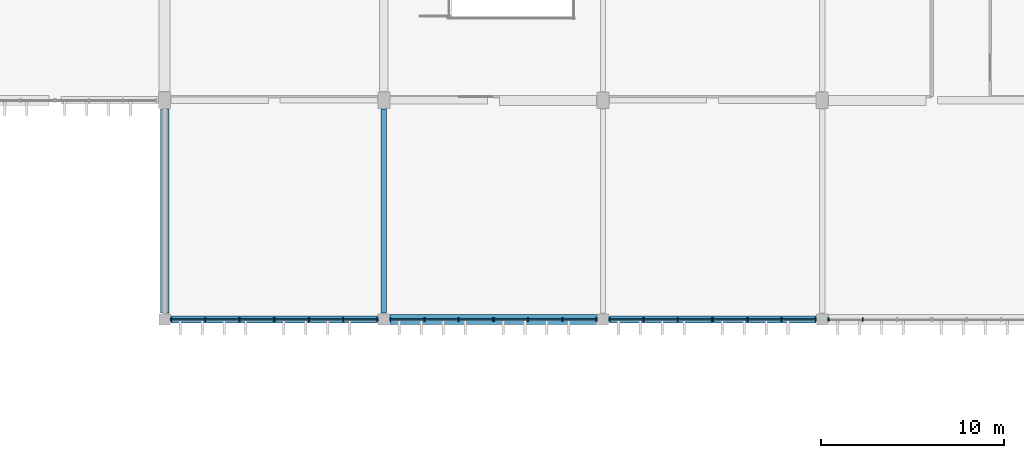
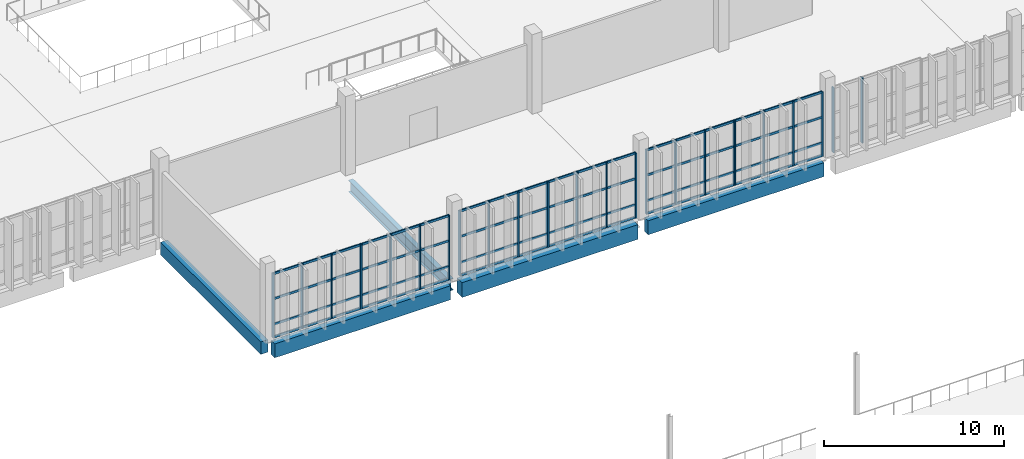
# One storey, part 29 of 112: 50 members, 5 beams, 7 elements without a shape of their own.
"""IFC4 building model written with IfcOpenShell, lengths in metres."""

from ifc_helpers import new_model, si_unit, direction, frame, origin, origin_2d, place, context, subcontext, project, spatial, rectangle, i_section, extrude, material, material_profile, profile_set, type_object, element, aggregate, save


model = new_model("IFC4")

# Units and contexts
model_context = context("Model", 3, precision=1e-05, world=origin(), true_north=direction((0.0, 1.0)))
body_context = subcontext(model_context, "Body", "Model", "MODEL_VIEW")
ifc_project = project(units=[si_unit("LENGTHUNIT", "METRE"), si_unit("AREAUNIT", "SQUARE_METRE"), si_unit("VOLUMEUNIT", "CUBIC_METRE"), si_unit("PLANEANGLEUNIT", "RADIAN"), si_unit("MASSUNIT", "GRAM", prefix="KILO")], contexts=[model_context])

# Site, building, storey
site_placement = place(None, origin())
site = spatial("IfcSite", under=ifc_project, at=site_placement, CompositionType="ELEMENT")
building_placement = place(site_placement, origin())
building = spatial("IfcBuilding", under=site, at=building_placement, Name="Kamomehara Wholesale Market", CompositionType="ELEMENT")
storey_placement = place(building_placement, frame((0.0, 0.0, 6.60009765625)))
storey = spatial("IfcBuildingStorey", under=building, at=storey_placement, Name="L01", CompositionType="ELEMENT", Elevation=6.60009765625)

# Beams
ifc_material_1 = material(Name="Precast concrete Fc45 (C40/50)", Category="concrete")
ifc_material_profile_1 = material_profile(ifc_material_1, rectangle(XDim=0.449951171875, YDim=0.85009765625, at=origin_2d()), Name="PC-GRD-450x850")
ifc_profile_set_1 = profile_set([ifc_material_profile_1], Name="Precast concrete Fc45 (C40/50)")
beam_type_1 = type_object("IfcBeamType", Name="BM-PG850", PredefinedType="T_BEAM", material=ifc_profile_set_1)
beam_1_placement = place(storey_placement, frame((72.0, 96.35009765625, -0.737060546875), z_axis=(0.0, 1.0, 0.0), x_axis=(-1.0, 0.0, 0.0)))
element("IfcBeam", 1, at=beam_1_placement, inside=storey, type_object=beam_type_1, Name="Beam PG-11 L01", PredefinedType="T_BEAM", context=body_context, shape_type="SweptSolid", body=[
    extrude(rectangle(XDim=0.449951171875, YDim=0.85009765625, at=origin_2d()), origin(), (0.0, 0.0, 1.0), 11.1748046875),
])
ifc_material_2 = material(Name="Concrete Fc36 (C35/45)", Category="concrete")
ifc_material_profile_2 = material_profile(ifc_material_2, rectangle(XDim=0.550048828125, YDim=1.0, at=origin_2d()), Name="RC-SEB-550x1000")
ifc_profile_set_2 = profile_set([ifc_material_profile_2], Name="Concrete Fc36 (C35/45)")
beam_type_2 = type_object("IfcBeamType", Name="BM-SEB1000-EXT", PredefinedType="SPANDREL", material=ifc_profile_set_2)
beam_2_placement = place(storey_placement, frame((84.35009765625, 96.0, -0.81201171875), z_axis=(1.0, 0.0, 0.0), x_axis=(0.0, 1.0, 0.0)))
element("IfcBeam", 2, at=beam_2_placement, inside=storey, type_object=beam_type_2, Name="Beam SEB-03E L01", PredefinedType="SPANDREL", context=body_context, shape_type="SweptSolid", body=[
    extrude(rectangle(XDim=0.550048828125, YDim=1.0, at=origin_2d()), origin(), (0.0, 0.0, 1.0), 11.2998046875),
])
ifc_material_3 = material(Name="Precast concrete Fc45 (C40/50)", Category="concrete")
ifc_material_profile_3 = material_profile(ifc_material_3, rectangle(XDim=0.39990234375, YDim=0.949951171875, at=origin_2d()), Name="PC-SPN-400x950")
ifc_profile_set_3 = profile_set([ifc_material_profile_3], Name="Precast concrete Fc45 (C40/50)")
beam_type_3 = type_object("IfcBeamType", Name="BM-SPN950-EXT", PredefinedType="SPANDREL", material=ifc_profile_set_3)
for number, where, z_axis, x_axis, name in (
    (3, (72.35009765625, 96.0, -0.787109375), (1.0, 0.0, 0.0), (0.0, 1.0, 0.0), "Beam SPN-01E L01"),
    (4, (96.35009765625, 96.0, -0.8271484375), (1.0, 0.0, 0.0), (0.0, 1.0, 0.0), "Beam SPN-01E L01"),
):
    element("IfcBeam", number, at=place(storey_placement, frame(where, z_axis=z_axis, x_axis=x_axis)), inside=storey, type_object=beam_type_3, Name=name, PredefinedType="SPANDREL", context=body_context, shape_type="SweptSolid", body=[
        extrude(rectangle(XDim=0.39990234375, YDim=0.949951171875, at=origin_2d()), origin(), (0.0, 0.0, 1.0), 11.2998046875),
    ])
ifc_material_4 = material(Name="Steel SN490B", Category="steel")
ifc_material_profile_4 = material_profile(ifc_material_4, i_section(OverallWidth=0.300048828125, OverallDepth=0.800048828125, WebThickness=0.013916015625, FlangeThickness=0.02587890625, FilletRadius=0.02392578125, at=origin_2d()), Name="H-800x300x14x26")
ifc_profile_set_4 = profile_set([ifc_material_profile_4], Name="Steel SN490B")
beam_type_4 = type_object("IfcBeamType", Name="BM-ST-H800", PredefinedType="BEAM", material=ifc_profile_set_4)
beam_3_placement = place(storey_placement, frame((84.0, 96.35009765625, -0.712158203125), z_axis=(0.0, 1.0, 0.0), x_axis=(-1.0, 0.0, 0.0)))
element("IfcBeam", 5, at=beam_3_placement, inside=storey, type_object=beam_type_4, Name="Beam SG-02 L01", PredefinedType="BEAM", context=body_context, shape_type="SweptSolid", body=[
    extrude(i_section(OverallWidth=0.300048828125, OverallDepth=0.800048828125, WebThickness=0.013916015625, FlangeThickness=0.02587890625, FilletRadius=0.02392578125, at=origin_2d()), origin(), (0.0, 0.0, 1.0), 11.1748046875),
])

# Curtain wall, members
ifc_material_5 = material(Name="Anodised aluminium 6063-T5", Category="aluminium")
curtain_wall_type = type_object("IfcCurtainWallType", Name="CW-UN-02", PredefinedType="NOTDEFINED", material=ifc_material_5)
curtain_wall_1_placement = place(storey_placement, origin())
curtain_wall_1 = element("IfcCurtainWall", 6, at=curtain_wall_1_placement, inside=storey, type_object=curtain_wall_type, Name="Unitised curtain wall CW-063", PredefinedType="NOTDEFINED")
ifc_material_6 = material(Name="Anodised aluminium 6063-T5", Category="aluminium")
ifc_material_profile_5 = material_profile(ifc_material_6, rectangle(XDim=0.074951171875, YDim=0.179931640625, at=origin_2d()), Name="ALU-MUL-75x180")
ifc_profile_set_5 = profile_set([ifc_material_profile_5], Name="Anodised aluminium 6063-T5")
member_type_1 = type_object("IfcMemberType", Name="CW-MUL-180", PredefinedType="MULLION", material=ifc_profile_set_5)
member_1_placement = place(storey_placement, frame((83.64990234375, 96.0, 0.0), z_axis=(0.0, 0.0, 1.0), x_axis=(-1.0, 0.0, 0.0)))
member_1 = element("IfcMember", 7, at=member_1_placement, type_object=member_type_1, Name="Mullion CW-063.0", PredefinedType="MULLION", context=body_context, shape_type="SweptSolid", body=[
    extrude(rectangle(XDim=0.074951171875, YDim=0.179931640625, at=origin_2d()), origin(), (0.0, 0.0, 1.0), 4.3798828125),
])
member_2_placement = place(storey_placement, frame((81.777099609375, 96.0, 0.0), z_axis=(0.0, 0.0, 1.0), x_axis=(-1.0, 0.0, 0.0)))
member_2 = element("IfcMember", 8, at=member_2_placement, type_object=member_type_1, Name="Mullion CW-063.1", PredefinedType="MULLION", context=body_context, shape_type="SweptSolid", body=[
    extrude(rectangle(XDim=0.074951171875, YDim=0.179931640625, at=origin_2d()), origin(), (0.0, 0.0, 1.0), 4.3798828125),
])
member_3_placement = place(storey_placement, frame((79.903076171875, 96.0, 0.0), z_axis=(0.0, 0.0, 1.0), x_axis=(-1.0, 0.0, 0.0)))
member_3 = element("IfcMember", 9, at=member_3_placement, type_object=member_type_1, Name="Mullion CW-063.2", PredefinedType="MULLION", context=body_context, shape_type="SweptSolid", body=[
    extrude(rectangle(XDim=0.074951171875, YDim=0.179931640625, at=origin_2d()), origin(), (0.0, 0.0, 1.0), 4.3798828125),
])
member_4_placement = place(storey_placement, frame((78.030029296875, 96.0, 0.0), z_axis=(0.0, 0.0, 1.0), x_axis=(-1.0, 0.0, 0.0)))
member_4 = element("IfcMember", 10, at=member_4_placement, type_object=member_type_1, Name="Mullion CW-063.3", PredefinedType="MULLION", context=body_context, shape_type="SweptSolid", body=[
    extrude(rectangle(XDim=0.074951171875, YDim=0.179931640625, at=origin_2d()), origin(), (0.0, 0.0, 1.0), 4.3798828125),
])

curtain_wall_2_placement = place(storey_placement, origin())
curtain_wall_2 = element("IfcCurtainWall", 11, at=curtain_wall_2_placement, inside=storey, type_object=curtain_wall_type, Name="Unitised curtain wall CW-064", PredefinedType="NOTDEFINED")
member_5_placement = place(storey_placement, frame((77.969970703125, 96.0, 0.0), z_axis=(0.0, 0.0, 1.0), x_axis=(-1.0, 0.0, 0.0)))
member_5 = element("IfcMember", 12, at=member_5_placement, type_object=member_type_1, Name="Mullion CW-064.0", PredefinedType="MULLION", context=body_context, shape_type="SweptSolid", body=[
    extrude(rectangle(XDim=0.074951171875, YDim=0.179931640625, at=origin_2d()), origin(), (0.0, 0.0, 1.0), 4.3798828125),
])
member_6_placement = place(storey_placement, frame((76.096923828125, 96.0, 0.0), z_axis=(0.0, 0.0, 1.0), x_axis=(-1.0, 0.0, 0.0)))
member_6 = element("IfcMember", 13, at=member_6_placement, type_object=member_type_1, Name="Mullion CW-064.1", PredefinedType="MULLION", context=body_context, shape_type="SweptSolid", body=[
    extrude(rectangle(XDim=0.074951171875, YDim=0.179931640625, at=origin_2d()), origin(), (0.0, 0.0, 1.0), 4.3798828125),
])
member_7_placement = place(storey_placement, frame((74.222900390625, 96.0, 0.0), z_axis=(0.0, 0.0, 1.0), x_axis=(-1.0, 0.0, 0.0)))
member_7 = element("IfcMember", 14, at=member_7_placement, type_object=member_type_1, Name="Mullion CW-064.2", PredefinedType="MULLION", context=body_context, shape_type="SweptSolid", body=[
    extrude(rectangle(XDim=0.074951171875, YDim=0.179931640625, at=origin_2d()), origin(), (0.0, 0.0, 1.0), 4.3798828125),
])
member_8_placement = place(storey_placement, frame((72.35009765625, 96.0, 0.0), z_axis=(0.0, 0.0, 1.0), x_axis=(-1.0, 0.0, 0.0)))
member_8 = element("IfcMember", 15, at=member_8_placement, type_object=member_type_1, Name="Mullion CW-064.3", PredefinedType="MULLION", context=body_context, shape_type="SweptSolid", body=[
    extrude(rectangle(XDim=0.074951171875, YDim=0.179931640625, at=origin_2d()), origin(), (0.0, 0.0, 1.0), 4.3798828125),
])

curtain_wall_3_placement = place(storey_placement, origin())
curtain_wall_3 = element("IfcCurtainWall", 16, at=curtain_wall_3_placement, inside=storey, type_object=curtain_wall_type, Name="Unitised curtain wall CW-067", PredefinedType="NOTDEFINED")
member_9_placement = place(storey_placement, frame((95.64990234375, 96.0, 0.0), z_axis=(0.0, 0.0, 1.0), x_axis=(-1.0, 0.0, 0.0)))
member_9 = element("IfcMember", 17, at=member_9_placement, type_object=member_type_1, Name="Mullion CW-067.0", PredefinedType="MULLION", context=body_context, shape_type="SweptSolid", body=[
    extrude(rectangle(XDim=0.074951171875, YDim=0.179931640625, at=origin_2d()), origin(), (0.0, 0.0, 1.0), 4.429931640625),
])
member_10_placement = place(storey_placement, frame((93.777099609375, 96.0, 0.0), z_axis=(0.0, 0.0, 1.0), x_axis=(-1.0, 0.0, 0.0)))
member_10 = element("IfcMember", 18, at=member_10_placement, type_object=member_type_1, Name="Mullion CW-067.1", PredefinedType="MULLION", context=body_context, shape_type="SweptSolid", body=[
    extrude(rectangle(XDim=0.074951171875, YDim=0.179931640625, at=origin_2d()), origin(), (0.0, 0.0, 1.0), 4.429931640625),
])
member_11_placement = place(storey_placement, frame((91.903076171875, 96.0, 0.0), z_axis=(0.0, 0.0, 1.0), x_axis=(-1.0, 0.0, 0.0)))
member_11 = element("IfcMember", 19, at=member_11_placement, type_object=member_type_1, Name="Mullion CW-067.2", PredefinedType="MULLION", context=body_context, shape_type="SweptSolid", body=[
    extrude(rectangle(XDim=0.074951171875, YDim=0.179931640625, at=origin_2d()), origin(), (0.0, 0.0, 1.0), 4.429931640625),
])
member_12_placement = place(storey_placement, frame((90.030029296875, 96.0, 0.0), z_axis=(0.0, 0.0, 1.0), x_axis=(-1.0, 0.0, 0.0)))
member_12 = element("IfcMember", 20, at=member_12_placement, type_object=member_type_1, Name="Mullion CW-067.3", PredefinedType="MULLION", context=body_context, shape_type="SweptSolid", body=[
    extrude(rectangle(XDim=0.074951171875, YDim=0.179931640625, at=origin_2d()), origin(), (0.0, 0.0, 1.0), 4.429931640625),
])

curtain_wall_4_placement = place(storey_placement, origin())
curtain_wall_4 = element("IfcCurtainWall", 21, at=curtain_wall_4_placement, inside=storey, type_object=curtain_wall_type, Name="Unitised curtain wall CW-068", PredefinedType="NOTDEFINED")
member_13_placement = place(storey_placement, frame((89.969970703125, 96.0, 0.0), z_axis=(0.0, 0.0, 1.0), x_axis=(-1.0, 0.0, 0.0)))
member_13 = element("IfcMember", 22, at=member_13_placement, type_object=member_type_1, Name="Mullion CW-068.0", PredefinedType="MULLION", context=body_context, shape_type="SweptSolid", body=[
    extrude(rectangle(XDim=0.074951171875, YDim=0.179931640625, at=origin_2d()), origin(), (0.0, 0.0, 1.0), 4.429931640625),
])
member_14_placement = place(storey_placement, frame((88.096923828125, 96.0, 0.0), z_axis=(0.0, 0.0, 1.0), x_axis=(-1.0, 0.0, 0.0)))
member_14 = element("IfcMember", 23, at=member_14_placement, type_object=member_type_1, Name="Mullion CW-068.1", PredefinedType="MULLION", context=body_context, shape_type="SweptSolid", body=[
    extrude(rectangle(XDim=0.074951171875, YDim=0.179931640625, at=origin_2d()), origin(), (0.0, 0.0, 1.0), 4.429931640625),
])
member_15_placement = place(storey_placement, frame((86.222900390625, 96.0, 0.0), z_axis=(0.0, 0.0, 1.0), x_axis=(-1.0, 0.0, 0.0)))
member_15 = element("IfcMember", 24, at=member_15_placement, type_object=member_type_1, Name="Mullion CW-068.2", PredefinedType="MULLION", context=body_context, shape_type="SweptSolid", body=[
    extrude(rectangle(XDim=0.074951171875, YDim=0.179931640625, at=origin_2d()), origin(), (0.0, 0.0, 1.0), 4.429931640625),
])
member_16_placement = place(storey_placement, frame((84.35009765625, 96.0, 0.0), z_axis=(0.0, 0.0, 1.0), x_axis=(-1.0, 0.0, 0.0)))
member_16 = element("IfcMember", 25, at=member_16_placement, type_object=member_type_1, Name="Mullion CW-068.3", PredefinedType="MULLION", context=body_context, shape_type="SweptSolid", body=[
    extrude(rectangle(XDim=0.074951171875, YDim=0.179931640625, at=origin_2d()), origin(), (0.0, 0.0, 1.0), 4.429931640625),
])

curtain_wall_5_placement = place(storey_placement, origin())
curtain_wall_5 = element("IfcCurtainWall", 26, at=curtain_wall_5_placement, inside=storey, type_object=curtain_wall_type, Name="Unitised curtain wall CW-071", PredefinedType="NOTDEFINED")
member_17_placement = place(storey_placement, frame((107.64990234375, 96.0, 0.0), z_axis=(0.0, 0.0, 1.0), x_axis=(-1.0, 0.0, 0.0)))
member_17 = element("IfcMember", 27, at=member_17_placement, type_object=member_type_1, Name="Mullion CW-071.0", PredefinedType="MULLION", context=body_context, shape_type="SweptSolid", body=[
    extrude(rectangle(XDim=0.074951171875, YDim=0.179931640625, at=origin_2d()), origin(), (0.0, 0.0, 1.0), 4.3798828125),
])
member_18_placement = place(storey_placement, frame((105.777099609375, 96.0, 0.0), z_axis=(0.0, 0.0, 1.0), x_axis=(-1.0, 0.0, 0.0)))
member_18 = element("IfcMember", 28, at=member_18_placement, type_object=member_type_1, Name="Mullion CW-071.1", PredefinedType="MULLION", context=body_context, shape_type="SweptSolid", body=[
    extrude(rectangle(XDim=0.074951171875, YDim=0.179931640625, at=origin_2d()), origin(), (0.0, 0.0, 1.0), 4.3798828125),
])
member_19_placement = place(storey_placement, frame((103.903076171875, 96.0, 0.0), z_axis=(0.0, 0.0, 1.0), x_axis=(-1.0, 0.0, 0.0)))
member_19 = element("IfcMember", 29, at=member_19_placement, type_object=member_type_1, Name="Mullion CW-071.2", PredefinedType="MULLION", context=body_context, shape_type="SweptSolid", body=[
    extrude(rectangle(XDim=0.074951171875, YDim=0.179931640625, at=origin_2d()), origin(), (0.0, 0.0, 1.0), 4.3798828125),
])
member_20_placement = place(storey_placement, frame((102.030029296875, 96.0, 0.0), z_axis=(0.0, 0.0, 1.0), x_axis=(-1.0, 0.0, 0.0)))
member_20 = element("IfcMember", 30, at=member_20_placement, type_object=member_type_1, Name="Mullion CW-071.3", PredefinedType="MULLION", context=body_context, shape_type="SweptSolid", body=[
    extrude(rectangle(XDim=0.074951171875, YDim=0.179931640625, at=origin_2d()), origin(), (0.0, 0.0, 1.0), 4.3798828125),
])

curtain_wall_6_placement = place(storey_placement, origin())
curtain_wall_6 = element("IfcCurtainWall", 31, at=curtain_wall_6_placement, inside=storey, type_object=curtain_wall_type, Name="Unitised curtain wall CW-072", PredefinedType="NOTDEFINED")
member_21_placement = place(storey_placement, frame((101.969970703125, 96.0, 0.0), z_axis=(0.0, 0.0, 1.0), x_axis=(-1.0, 0.0, 0.0)))
member_21 = element("IfcMember", 32, at=member_21_placement, type_object=member_type_1, Name="Mullion CW-072.0", PredefinedType="MULLION", context=body_context, shape_type="SweptSolid", body=[
    extrude(rectangle(XDim=0.074951171875, YDim=0.179931640625, at=origin_2d()), origin(), (0.0, 0.0, 1.0), 4.3798828125),
])
member_22_placement = place(storey_placement, frame((100.096923828125, 96.0, 0.0), z_axis=(0.0, 0.0, 1.0), x_axis=(-1.0, 0.0, 0.0)))
member_22 = element("IfcMember", 33, at=member_22_placement, type_object=member_type_1, Name="Mullion CW-072.1", PredefinedType="MULLION", context=body_context, shape_type="SweptSolid", body=[
    extrude(rectangle(XDim=0.074951171875, YDim=0.179931640625, at=origin_2d()), origin(), (0.0, 0.0, 1.0), 4.3798828125),
])
member_23_placement = place(storey_placement, frame((98.222900390625, 96.0, 0.0), z_axis=(0.0, 0.0, 1.0), x_axis=(-1.0, 0.0, 0.0)))
member_23 = element("IfcMember", 34, at=member_23_placement, type_object=member_type_1, Name="Mullion CW-072.2", PredefinedType="MULLION", context=body_context, shape_type="SweptSolid", body=[
    extrude(rectangle(XDim=0.074951171875, YDim=0.179931640625, at=origin_2d()), origin(), (0.0, 0.0, 1.0), 4.3798828125),
])
member_24_placement = place(storey_placement, frame((96.35009765625, 96.0, 0.0), z_axis=(0.0, 0.0, 1.0), x_axis=(-1.0, 0.0, 0.0)))
member_24 = element("IfcMember", 35, at=member_24_placement, type_object=member_type_1, Name="Mullion CW-072.3", PredefinedType="MULLION", context=body_context, shape_type="SweptSolid", body=[
    extrude(rectangle(XDim=0.074951171875, YDim=0.179931640625, at=origin_2d()), origin(), (0.0, 0.0, 1.0), 4.3798828125),
])

curtain_wall_7_placement = place(storey_placement, origin())
curtain_wall_7 = element("IfcCurtainWall", 36, at=curtain_wall_7_placement, inside=storey, type_object=curtain_wall_type, Name="Unitised curtain wall CW-076", PredefinedType="NOTDEFINED")
member_25_placement = place(storey_placement, frame((110.222900390625, 96.0, 0.0), z_axis=(0.0, 0.0, 1.0), x_axis=(-1.0, 0.0, 0.0)))
member_25 = element("IfcMember", 37, at=member_25_placement, type_object=member_type_1, Name="Mullion CW-076.2", PredefinedType="MULLION", context=body_context, shape_type="SweptSolid", body=[
    extrude(rectangle(XDim=0.074951171875, YDim=0.179931640625, at=origin_2d()), origin(), (0.0, 0.0, 1.0), 4.429931640625),
])
member_26_placement = place(storey_placement, frame((108.35009765625, 96.0, 0.0), z_axis=(0.0, 0.0, 1.0), x_axis=(-1.0, 0.0, 0.0)))
member_26 = element("IfcMember", 38, at=member_26_placement, type_object=member_type_1, Name="Mullion CW-076.3", PredefinedType="MULLION", context=body_context, shape_type="SweptSolid", body=[
    extrude(rectangle(XDim=0.074951171875, YDim=0.179931640625, at=origin_2d()), origin(), (0.0, 0.0, 1.0), 4.429931640625),
])
aggregate(curtain_wall_7, [member_25, member_26])

# Member
ifc_material_7 = material(Name="Anodised aluminium 6063-T5", Category="aluminium")
ifc_material_profile_6 = material_profile(ifc_material_7, rectangle(XDim=0.074951171875, YDim=0.14990234375, at=origin_2d()), Name="ALU-TRN-75x150")
ifc_profile_set_6 = profile_set([ifc_material_profile_6], Name="Anodised aluminium 6063-T5")
member_type_2 = type_object("IfcMemberType", Name="CW-TRN-150", PredefinedType="USERDEFINED", material=ifc_profile_set_6)
member_27_placement = place(storey_placement, frame((83.64990234375, 96.0, 0.039794921875), z_axis=(-1.0, 0.0, 0.0), x_axis=(0.0, -1.0, 0.0)))
member_27 = element("IfcMember", 39, at=member_27_placement, type_object=member_type_2, Name="Transom CW-063.0", ObjectType="TRANSOM", PredefinedType="USERDEFINED", context=body_context, shape_type="SweptSolid", body=[
    extrude(rectangle(XDim=0.074951171875, YDim=0.14990234375, at=origin_2d()), origin(), (0.0, 0.0, 1.0), 5.619873046875),
])

member_28_placement = place(storey_placement, frame((83.64990234375, 96.0, 0.89990234375), z_axis=(-1.0, 0.0, 0.0), x_axis=(0.0, -1.0, 0.0)))
member_28 = element("IfcMember", 40, at=member_28_placement, type_object=member_type_2, Name="Transom CW-063.1", ObjectType="TRANSOM", PredefinedType="USERDEFINED", context=body_context, shape_type="SweptSolid", body=[
    extrude(rectangle(XDim=0.074951171875, YDim=0.14990234375, at=origin_2d()), origin(), (0.0, 0.0, 1.0), 5.619873046875),
])

member_29_placement = place(storey_placement, frame((83.64990234375, 96.0, 2.639892578125), z_axis=(-1.0, 0.0, 0.0), x_axis=(0.0, -1.0, 0.0)))
member_29 = element("IfcMember", 41, at=member_29_placement, type_object=member_type_2, Name="Transom CW-063.2", ObjectType="TRANSOM", PredefinedType="USERDEFINED", context=body_context, shape_type="SweptSolid", body=[
    extrude(rectangle(XDim=0.074951171875, YDim=0.14990234375, at=origin_2d()), origin(), (0.0, 0.0, 1.0), 5.619873046875),
])

member_30_placement = place(storey_placement, frame((83.64990234375, 96.0, 4.33984375), z_axis=(-1.0, 0.0, 0.0), x_axis=(0.0, -1.0, 0.0)))
member_30 = element("IfcMember", 42, at=member_30_placement, type_object=member_type_2, Name="Transom CW-063.3", ObjectType="TRANSOM", PredefinedType="USERDEFINED", context=body_context, shape_type="SweptSolid", body=[
    extrude(rectangle(XDim=0.074951171875, YDim=0.14990234375, at=origin_2d()), origin(), (0.0, 0.0, 1.0), 5.619873046875),
])

aggregate(curtain_wall_1, [member_1, member_2, member_3, member_4, member_27, member_28, member_29, member_30])

member_31_placement = place(storey_placement, frame((77.969970703125, 96.0, 0.039794921875), z_axis=(-1.0, 0.0, 0.0), x_axis=(0.0, -1.0, 0.0)))
member_31 = element("IfcMember", 43, at=member_31_placement, type_object=member_type_2, Name="Transom CW-064.0", ObjectType="TRANSOM", PredefinedType="USERDEFINED", context=body_context, shape_type="SweptSolid", body=[
    extrude(rectangle(XDim=0.074951171875, YDim=0.14990234375, at=origin_2d()), origin(), (0.0, 0.0, 1.0), 5.619873046875),
])

member_32_placement = place(storey_placement, frame((77.969970703125, 96.0, 0.89990234375), z_axis=(-1.0, 0.0, 0.0), x_axis=(0.0, -1.0, 0.0)))
member_32 = element("IfcMember", 44, at=member_32_placement, type_object=member_type_2, Name="Transom CW-064.1", ObjectType="TRANSOM", PredefinedType="USERDEFINED", context=body_context, shape_type="SweptSolid", body=[
    extrude(rectangle(XDim=0.074951171875, YDim=0.14990234375, at=origin_2d()), origin(), (0.0, 0.0, 1.0), 5.619873046875),
])

member_33_placement = place(storey_placement, frame((77.969970703125, 96.0, 2.639892578125), z_axis=(-1.0, 0.0, 0.0), x_axis=(0.0, -1.0, 0.0)))
member_33 = element("IfcMember", 45, at=member_33_placement, type_object=member_type_2, Name="Transom CW-064.2", ObjectType="TRANSOM", PredefinedType="USERDEFINED", context=body_context, shape_type="SweptSolid", body=[
    extrude(rectangle(XDim=0.074951171875, YDim=0.14990234375, at=origin_2d()), origin(), (0.0, 0.0, 1.0), 5.619873046875),
])

member_34_placement = place(storey_placement, frame((77.969970703125, 96.0, 4.33984375), z_axis=(-1.0, 0.0, 0.0), x_axis=(0.0, -1.0, 0.0)))
member_34 = element("IfcMember", 46, at=member_34_placement, type_object=member_type_2, Name="Transom CW-064.3", ObjectType="TRANSOM", PredefinedType="USERDEFINED", context=body_context, shape_type="SweptSolid", body=[
    extrude(rectangle(XDim=0.074951171875, YDim=0.14990234375, at=origin_2d()), origin(), (0.0, 0.0, 1.0), 5.619873046875),
])

aggregate(curtain_wall_2, [member_5, member_6, member_7, member_8, member_31, member_32, member_33, member_34])

member_35_placement = place(storey_placement, frame((95.64990234375, 96.0, 0.039794921875), z_axis=(-1.0, 0.0, 0.0), x_axis=(0.0, -1.0, 0.0)))
member_35 = element("IfcMember", 47, at=member_35_placement, type_object=member_type_2, Name="Transom CW-067.0", ObjectType="TRANSOM", PredefinedType="USERDEFINED", context=body_context, shape_type="SweptSolid", body=[
    extrude(rectangle(XDim=0.074951171875, YDim=0.14990234375, at=origin_2d()), origin(), (0.0, 0.0, 1.0), 5.619873046875),
])

member_36_placement = place(storey_placement, frame((95.64990234375, 96.0, 0.89990234375), z_axis=(-1.0, 0.0, 0.0), x_axis=(0.0, -1.0, 0.0)))
member_36 = element("IfcMember", 48, at=member_36_placement, type_object=member_type_2, Name="Transom CW-067.1", ObjectType="TRANSOM", PredefinedType="USERDEFINED", context=body_context, shape_type="SweptSolid", body=[
    extrude(rectangle(XDim=0.074951171875, YDim=0.14990234375, at=origin_2d()), origin(), (0.0, 0.0, 1.0), 5.619873046875),
])

member_37_placement = place(storey_placement, frame((95.64990234375, 96.0, 2.664794921875), z_axis=(-1.0, 0.0, 0.0), x_axis=(0.0, -1.0, 0.0)))
member_37 = element("IfcMember", 49, at=member_37_placement, type_object=member_type_2, Name="Transom CW-067.2", ObjectType="TRANSOM", PredefinedType="USERDEFINED", context=body_context, shape_type="SweptSolid", body=[
    extrude(rectangle(XDim=0.074951171875, YDim=0.14990234375, at=origin_2d()), origin(), (0.0, 0.0, 1.0), 5.619873046875),
])

member_38_placement = place(storey_placement, frame((95.64990234375, 96.0, 4.389892578125), z_axis=(-1.0, 0.0, 0.0), x_axis=(0.0, -1.0, 0.0)))
member_38 = element("IfcMember", 50, at=member_38_placement, type_object=member_type_2, Name="Transom CW-067.3", ObjectType="TRANSOM", PredefinedType="USERDEFINED", context=body_context, shape_type="SweptSolid", body=[
    extrude(rectangle(XDim=0.074951171875, YDim=0.14990234375, at=origin_2d()), origin(), (0.0, 0.0, 1.0), 5.619873046875),
])

aggregate(curtain_wall_3, [member_9, member_10, member_11, member_12, member_35, member_36, member_37, member_38])

member_39_placement = place(storey_placement, frame((89.969970703125, 96.0, 0.039794921875), z_axis=(-1.0, 0.0, 0.0), x_axis=(0.0, -1.0, 0.0)))
member_39 = element("IfcMember", 51, at=member_39_placement, type_object=member_type_2, Name="Transom CW-068.0", ObjectType="TRANSOM", PredefinedType="USERDEFINED", context=body_context, shape_type="SweptSolid", body=[
    extrude(rectangle(XDim=0.074951171875, YDim=0.14990234375, at=origin_2d()), origin(), (0.0, 0.0, 1.0), 5.619873046875),
])

member_40_placement = place(storey_placement, frame((89.969970703125, 96.0, 0.89990234375), z_axis=(-1.0, 0.0, 0.0), x_axis=(0.0, -1.0, 0.0)))
member_40 = element("IfcMember", 52, at=member_40_placement, type_object=member_type_2, Name="Transom CW-068.1", ObjectType="TRANSOM", PredefinedType="USERDEFINED", context=body_context, shape_type="SweptSolid", body=[
    extrude(rectangle(XDim=0.074951171875, YDim=0.14990234375, at=origin_2d()), origin(), (0.0, 0.0, 1.0), 5.619873046875),
])

member_41_placement = place(storey_placement, frame((89.969970703125, 96.0, 2.664794921875), z_axis=(-1.0, 0.0, 0.0), x_axis=(0.0, -1.0, 0.0)))
member_41 = element("IfcMember", 53, at=member_41_placement, type_object=member_type_2, Name="Transom CW-068.2", ObjectType="TRANSOM", PredefinedType="USERDEFINED", context=body_context, shape_type="SweptSolid", body=[
    extrude(rectangle(XDim=0.074951171875, YDim=0.14990234375, at=origin_2d()), origin(), (0.0, 0.0, 1.0), 5.619873046875),
])

member_42_placement = place(storey_placement, frame((89.969970703125, 96.0, 4.389892578125), z_axis=(-1.0, 0.0, 0.0), x_axis=(0.0, -1.0, 0.0)))
member_42 = element("IfcMember", 54, at=member_42_placement, type_object=member_type_2, Name="Transom CW-068.3", ObjectType="TRANSOM", PredefinedType="USERDEFINED", context=body_context, shape_type="SweptSolid", body=[
    extrude(rectangle(XDim=0.074951171875, YDim=0.14990234375, at=origin_2d()), origin(), (0.0, 0.0, 1.0), 5.619873046875),
])

aggregate(curtain_wall_4, [member_13, member_14, member_15, member_16, member_39, member_40, member_41, member_42])

member_43_placement = place(storey_placement, frame((107.64990234375, 96.0, 0.039794921875), z_axis=(-1.0, 0.0, 0.0), x_axis=(0.0, -1.0, 0.0)))
member_43 = element("IfcMember", 55, at=member_43_placement, type_object=member_type_2, Name="Transom CW-071.0", ObjectType="TRANSOM", PredefinedType="USERDEFINED", context=body_context, shape_type="SweptSolid", body=[
    extrude(rectangle(XDim=0.074951171875, YDim=0.14990234375, at=origin_2d()), origin(), (0.0, 0.0, 1.0), 5.619873046875),
])

member_44_placement = place(storey_placement, frame((107.64990234375, 96.0, 0.89990234375), z_axis=(-1.0, 0.0, 0.0), x_axis=(0.0, -1.0, 0.0)))
member_44 = element("IfcMember", 56, at=member_44_placement, type_object=member_type_2, Name="Transom CW-071.1", ObjectType="TRANSOM", PredefinedType="USERDEFINED", context=body_context, shape_type="SweptSolid", body=[
    extrude(rectangle(XDim=0.074951171875, YDim=0.14990234375, at=origin_2d()), origin(), (0.0, 0.0, 1.0), 5.619873046875),
])

member_45_placement = place(storey_placement, frame((107.64990234375, 96.0, 2.639892578125), z_axis=(-1.0, 0.0, 0.0), x_axis=(0.0, -1.0, 0.0)))
member_45 = element("IfcMember", 57, at=member_45_placement, type_object=member_type_2, Name="Transom CW-071.2", ObjectType="TRANSOM", PredefinedType="USERDEFINED", context=body_context, shape_type="SweptSolid", body=[
    extrude(rectangle(XDim=0.074951171875, YDim=0.14990234375, at=origin_2d()), origin(), (0.0, 0.0, 1.0), 5.619873046875),
])

member_46_placement = place(storey_placement, frame((107.64990234375, 96.0, 4.33984375), z_axis=(-1.0, 0.0, 0.0), x_axis=(0.0, -1.0, 0.0)))
member_46 = element("IfcMember", 58, at=member_46_placement, type_object=member_type_2, Name="Transom CW-071.3", ObjectType="TRANSOM", PredefinedType="USERDEFINED", context=body_context, shape_type="SweptSolid", body=[
    extrude(rectangle(XDim=0.074951171875, YDim=0.14990234375, at=origin_2d()), origin(), (0.0, 0.0, 1.0), 5.619873046875),
])

aggregate(curtain_wall_5, [member_17, member_18, member_19, member_20, member_43, member_44, member_45, member_46])

member_47_placement = place(storey_placement, frame((101.969970703125, 96.0, 0.039794921875), z_axis=(-1.0, 0.0, 0.0), x_axis=(0.0, -1.0, 0.0)))
member_47 = element("IfcMember", 59, at=member_47_placement, type_object=member_type_2, Name="Transom CW-072.0", ObjectType="TRANSOM", PredefinedType="USERDEFINED", context=body_context, shape_type="SweptSolid", body=[
    extrude(rectangle(XDim=0.074951171875, YDim=0.14990234375, at=origin_2d()), origin(), (0.0, 0.0, 1.0), 5.619873046875),
])

member_48_placement = place(storey_placement, frame((101.969970703125, 96.0, 0.89990234375), z_axis=(-1.0, 0.0, 0.0), x_axis=(0.0, -1.0, 0.0)))
member_48 = element("IfcMember", 60, at=member_48_placement, type_object=member_type_2, Name="Transom CW-072.1", ObjectType="TRANSOM", PredefinedType="USERDEFINED", context=body_context, shape_type="SweptSolid", body=[
    extrude(rectangle(XDim=0.074951171875, YDim=0.14990234375, at=origin_2d()), origin(), (0.0, 0.0, 1.0), 5.619873046875),
])

member_49_placement = place(storey_placement, frame((101.969970703125, 96.0, 2.639892578125), z_axis=(-1.0, 0.0, 0.0), x_axis=(0.0, -1.0, 0.0)))
member_49 = element("IfcMember", 61, at=member_49_placement, type_object=member_type_2, Name="Transom CW-072.2", ObjectType="TRANSOM", PredefinedType="USERDEFINED", context=body_context, shape_type="SweptSolid", body=[
    extrude(rectangle(XDim=0.074951171875, YDim=0.14990234375, at=origin_2d()), origin(), (0.0, 0.0, 1.0), 5.619873046875),
])

member_50_placement = place(storey_placement, frame((101.969970703125, 96.0, 4.33984375), z_axis=(-1.0, 0.0, 0.0), x_axis=(0.0, -1.0, 0.0)))
member_50 = element("IfcMember", 62, at=member_50_placement, type_object=member_type_2, Name="Transom CW-072.3", ObjectType="TRANSOM", PredefinedType="USERDEFINED", context=body_context, shape_type="SweptSolid", body=[
    extrude(rectangle(XDim=0.074951171875, YDim=0.14990234375, at=origin_2d()), origin(), (0.0, 0.0, 1.0), 5.619873046875),
])

aggregate(curtain_wall_6, [member_21, member_22, member_23, member_24, member_47, member_48, member_49, member_50])

save(model, "model.ifc")
